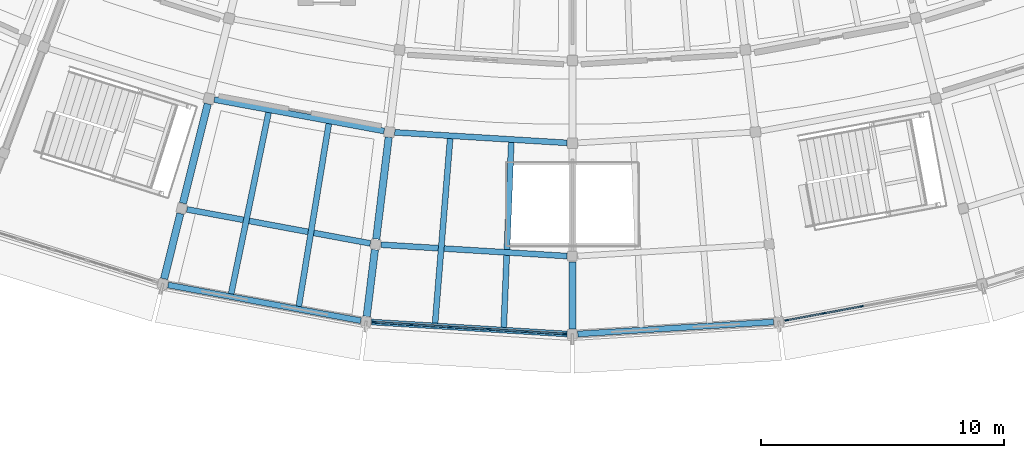
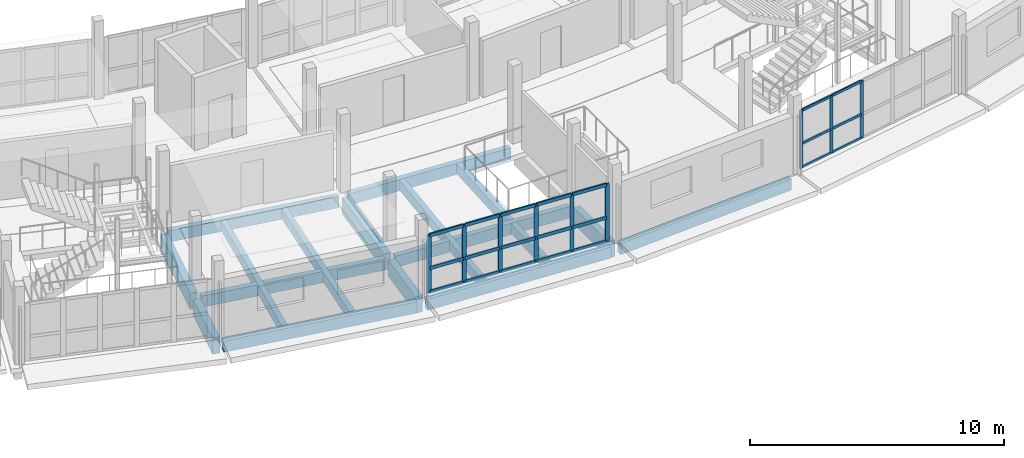
# One storey, part 23 of 77: 30 members, 16 beams, 2 elements without a shape of their own.
"""IFC4 building model written with IfcOpenShell, lengths in metres."""

import ifcopenshell
import ifcopenshell.guid

model = None  # the IFC model being written
_history = None  # IfcOwnerHistory: only IFC2X3 demands one
_inside = {}  # id of a spatial element -> (the spatial element, [elements in it])
_under = {}  # id of a project, library or spatial element -> (it, [spatial elements below it])
_declared = {}  # id of a project -> (the project, [libraries it declares])
_typed = {}  # id of a type object -> (the type object, [elements of that type])
_made_of = {}  # id of a material, layer set ... -> (it, [elements and type objects made of it])


def new_model(schema):
    """Start an empty IFC model of exactly this schema.

    Asked for "IFC4X3", IfcOpenShell would pick the latest addendum, in which some entities
    have other attributes; the version numbers below select the first issue.
    IFC2X3 requires an IfcOwnerHistory on every rooted entity: one is made here for all.
    """
    global model, _history
    if schema == "IFC4X3":
        model = ifcopenshell.file(schema_version=(4, 3, 0, 0))
    else:
        model = ifcopenshell.file(schema=schema)
    _inside.clear()
    _under.clear()
    _declared.clear()
    _typed.clear()
    _made_of.clear()
    _history = None
    if model.schema == "IFC2X3":
        org = make("IfcOrganization", Name="unknown")
        user = make(
            "IfcPersonAndOrganization",
            ThePerson=make("IfcPerson", FamilyName="unknown"),
            TheOrganization=org,
        )
        app = make(
            "IfcApplication",
            ApplicationDeveloper=org,
            Version="unknown",
            ApplicationFullName="unknown",
            ApplicationIdentifier="unknown",
        )
        _history = make(
            "IfcOwnerHistory",
            OwningUser=user,
            OwningApplication=app,
            ChangeAction="ADDED",
            CreationDate=0,
        )
    return model


def make(cls, **values):
    """One entity of the class cls with the attributes given. An attribute that is None is left unset."""
    return model.create_entity(
        cls, **{name: value for name, value in values.items() if value is not None}
    )


def rooted(cls, **values):
    """An entity with a GlobalId (a new one), such as an element, a storey or a relation."""
    return make(cls, GlobalId=ifcopenshell.guid.new(), OwnerHistory=_history, **values)


def si_unit(unit_type, name, prefix=None):
    """IfcSIUnit, for example si_unit("LENGTHUNIT", "METRE", prefix="MILLI")."""
    return make("IfcSIUnit", UnitType=unit_type, Prefix=prefix, Name=name)


def assignment(units):
    """IfcUnitAssignment: the units of a project."""
    return None if units is None else make("IfcUnitAssignment", Units=units)


def point(xyz):
    """IfcCartesianPoint."""
    return None if xyz is None else make("IfcCartesianPoint", Coordinates=xyz)


def direction(xyz):
    """IfcDirection."""
    return None if xyz is None else make("IfcDirection", DirectionRatios=xyz)


def frame(location, z_axis=None, x_axis=None):
    """IfcAxis2Placement3D, a coordinate frame: its origin and axes. An axis left out is left unset."""
    return make(
        "IfcAxis2Placement3D",
        Location=point(location),
        Axis=direction(z_axis),
        RefDirection=direction(x_axis),
    )


def frame_2d(location, x_axis=None):
    """IfcAxis2Placement2D, a coordinate frame in the plane: its origin and x axis."""
    return make(
        "IfcAxis2Placement2D", Location=point(location), RefDirection=direction(x_axis)
    )


def origin():
    """The frame at (0, 0, 0) with its axes left unset."""
    return frame((0.0, 0.0, 0.0))


def origin_2d():
    """The frame at (0, 0) in the plane with its x axis left unset."""
    return frame_2d((0.0, 0.0))


def place(relative_to, where):
    """IfcLocalPlacement: puts the frame where relative to a parent placement (None: the world)."""
    return make(
        "IfcLocalPlacement", PlacementRelTo=relative_to, RelativePlacement=where
    )


def context(
    kind, dimensions, precision=None, world=None, true_north=None, identifier=None
):
    """IfcGeometricRepresentationContext, for example the 3D "Model" context."""
    return make(
        "IfcGeometricRepresentationContext",
        ContextIdentifier=identifier,
        ContextType=kind,
        CoordinateSpaceDimension=dimensions,
        Precision=precision,
        WorldCoordinateSystem=world,
        TrueNorth=true_north,
    )


def subcontext(parent, identifier, kind, view, scale=None):
    """IfcGeometricRepresentationSubContext, for example "Body" below "Model"."""
    return make(
        "IfcGeometricRepresentationSubContext",
        ContextIdentifier=identifier,
        ContextType=kind,
        ParentContext=parent,
        TargetScale=scale,
        TargetView=view,
    )


def project(units=None, contexts=None):
    """IfcProject with its units and contexts."""
    return rooted(
        "IfcProject",
        Name="project",
        RepresentationContexts=contexts,
        UnitsInContext=assignment(units),
    )


def spatial(cls, under=None, at=None, **own):
    """A site, building, storey or space (cls), placed at a placement, below another one or the project."""
    s = rooted(cls, ObjectPlacement=at, **own)
    if under is not None:
        _under.setdefault(under.id(), (under, []))[1].append(s)
    return s


def profile(cls, at=None, kind="AREA", **sizes):
    """A parametric profile (cls). Its sizes go by their IFC names, for example OverallWidth=200.0."""
    return make(cls, ProfileType=kind, Position=at, **sizes)


def rectangle(**sizes):
    """IfcRectangleProfileDef."""
    return profile("IfcRectangleProfileDef", **sizes)


def extrude(swept, where, along, depth):
    """IfcExtrudedAreaSolid: the profile swept, set in the frame where, extruded along a direction by depth."""
    return make(
        "IfcExtrudedAreaSolid",
        SweptArea=swept,
        Position=where,
        ExtrudedDirection=direction(along),
        Depth=depth,
    )


def shape(context_of_items, identifier, shape_type, items):
    """IfcShapeRepresentation: the items that make up one representation, for example the "Body"."""
    return make(
        "IfcShapeRepresentation",
        ContextOfItems=context_of_items,
        RepresentationIdentifier=identifier,
        RepresentationType=shape_type,
        Items=items,
    )


def material(Name=None, Category=None):
    """IfcMaterial."""
    return make("IfcMaterial", Name=Name, Category=Category)


def layer(
    of_material, thickness, ventilated=None, Name=None, Category=None, Priority=None
):
    """IfcMaterialLayer: one layer of a wall or slab, of a material (None: an air gap)."""
    return make(
        "IfcMaterialLayer",
        Material=of_material,
        LayerThickness=thickness,
        IsVentilated=ventilated,
        Name=Name,
        Category=Category,
        Priority=Priority,
    )


def layer_set(layers, Name=None):
    """IfcMaterialLayerSet."""
    return make("IfcMaterialLayerSet", MaterialLayers=layers, LayerSetName=Name)


def material_profile(
    of_material, cross_section, Name=None, Category=None, Priority=None
):
    """IfcMaterialProfile: a cross section and its material."""
    return make(
        "IfcMaterialProfile",
        Name=Name,
        Material=of_material,
        Profile=cross_section,
        Priority=Priority,
        Category=Category,
    )


def profile_set(profiles, Name=None, composite=None):
    """IfcMaterialProfileSet."""
    return make(
        "IfcMaterialProfileSet",
        Name=Name,
        MaterialProfiles=profiles,
        CompositeProfile=composite,
    )


def made_of(thing, what):
    """Note that an element or type object is made of a material, layer set ...; save() writes the relation."""
    if what is not None:
        _made_of.setdefault(what.id(), (what, []))[1].append(thing)
    return thing


def type_object(cls, material=None, **own):
    """A type object (cls), such as IfcWallType, which elements share."""
    return made_of(rooted(cls, **own), material)


def element(
    cls,
    number,
    at=None,
    inside=None,
    cuts=None,
    type_object=None,
    material=None,
    context=None,
    identifier="Body",
    shape_type=None,
    held_by="IfcProductDefinitionShape",
    body=None,
    shapes=None,
    **own,
):
    """One element of the class cls, such as IfcWall. Its Tag is "e" and its number.

    at: its placement. inside: the storey or other place that contains it. cuts: it is an
    opening in that element (IfcRelVoidsElement). A single representation is given by context,
    identifier, shape_type and body (its items); several are given by shapes. held_by: the class
    of the entity that holds the representations. save() writes the other relations.
    """
    e = rooted(cls, Tag="e%d" % number, ObjectPlacement=at, **own)
    if body is not None:
        shapes = [shape(context, identifier, shape_type, body)]
    if shapes is not None:
        e.Representation = make(held_by, Representations=shapes)
    if inside is not None:
        _inside.setdefault(inside.id(), (inside, []))[1].append(e)
    if cuts is not None:
        rooted(
            "IfcRelVoidsElement", RelatingBuildingElement=cuts, RelatedOpeningElement=e
        )
    if type_object is not None:
        _typed.setdefault(type_object.id(), (type_object, []))[1].append(e)
    return made_of(e, material)


def aggregate(whole, parts):
    """IfcRelAggregates: a whole, such as a stair, and the parts it consists of."""
    return rooted("IfcRelAggregates", RelatingObject=whole, RelatedObjects=parts)


def save(model, path):
    """Write the relations noted so far, then the file.

    IfcRelAggregates (storeys below a building ...), IfcRelContainedInSpatialStructure (elements
    in a storey), IfcRelDefinesByType, IfcRelAssociatesMaterial and IfcRelDeclares: one each for
    every whole, place, type object, material and project.
    """
    for whole, parts in _under.values():
        aggregate(whole, parts)
    for where, things in _inside.values():
        rooted(
            "IfcRelContainedInSpatialStructure",
            RelatedElements=things,
            RelatingStructure=where,
        )
    for kind, things in _typed.values():
        rooted("IfcRelDefinesByType", RelatedObjects=things, RelatingType=kind)
    for what, things in _made_of.values():
        rooted("IfcRelAssociatesMaterial", RelatedObjects=things, RelatingMaterial=what)
    for by, libraries in _declared.values():
        rooted("IfcRelDeclares", RelatingContext=by, RelatedDefinitions=libraries)
    model.write(path)


model = new_model("IFC4")

# Units and contexts
model_context = context("Model", 3, precision=1e-05, world=origin(), true_north=direction((0.0, 1.0)))
body_context = subcontext(model_context, "Body", "Model", "MODEL_VIEW")
ifc_project = project(units=[si_unit("LENGTHUNIT", "METRE"), si_unit("AREAUNIT", "SQUARE_METRE"), si_unit("VOLUMEUNIT", "CUBIC_METRE"), si_unit("PLANEANGLEUNIT", "RADIAN"), si_unit("MASSUNIT", "GRAM", prefix="KILO")], contexts=[model_context])

# Site, building, storey
site_placement = place(None, origin())
site = spatial("IfcSite", under=ifc_project, at=site_placement, CompositionType="ELEMENT")
building_placement = place(site_placement, origin())
building = spatial("IfcBuilding", under=site, at=building_placement, Name="Caldaven Crescent School", CompositionType="ELEMENT")
storey_placement = place(building_placement, frame((0.0, 0.0, 4.419921875)))
storey = spatial("IfcBuildingStorey", under=building, at=storey_placement, Name="L01", CompositionType="ELEMENT", Elevation=4.419921875)

# Beams
ifc_material_1 = material(Name="Glulam MLE24h (GL28h)", Category="wood")
ifc_material_profile_1 = material_profile(ifc_material_1, rectangle(XDim=0.239990234375, YDim=0.5400390625, at=origin_2d()), Name="MLE 240x540")
ifc_profile_set_1 = profile_set([ifc_material_profile_1], Name="Glulam MLE24h (GL28h)")
beam_type_1 = type_object("IfcBeamType", Name="BM-GL54", PredefinedType="BEAM", material=ifc_profile_set_1)
beam_1_placement = place(storey_placement, frame((73.289794921875, 36.0927734375, -0.489990234375), z_axis=(0.983253463405, -0.182243317304, 0.0), x_axis=(0.182243317304, 0.983253463405, 0.0)))
element("IfcBeam", 1, at=beam_1_placement, inside=storey, type_object=beam_type_1, Name="BMT-V5-L01-1032", PredefinedType="BEAM", context=body_context, shape_type="SweptSolid", body=[
    extrude(rectangle(XDim=0.239990234375, YDim=0.5400390625, at=origin_2d()), origin(), (0.0, 0.0, 1.0), 7.093505859375),
])
beam_2_placement = place(storey_placement, frame((72.164794921875, 31.580810546875, -0.489990234375), z_axis=(0.983252830368, -0.182246732681, 0.0), x_axis=(0.182246732681, 0.983252830368, 0.0)))
element("IfcBeam", 2, at=beam_2_placement, inside=storey, type_object=beam_type_1, Name="BMT-V5-L01-1033", PredefinedType="BEAM", context=body_context, shape_type="SweptSolid", body=[
    extrude(rectangle(XDim=0.239990234375, YDim=0.5400390625, at=origin_2d()), origin(), (0.0, 0.0, 1.0), 7.661376953125),
])
beam_3_placement = place(storey_placement, frame((80.7001953125, 34.74658203125, -0.489990234375), z_axis=(0.998134331025, -0.061056180933, 0.0), x_axis=(0.061056180933, 0.998134331025, 0.0)))
element("IfcBeam", 3, at=beam_3_placement, inside=storey, type_object=beam_type_1, Name="BMT-V5-L01-1039", PredefinedType="BEAM", context=body_context, shape_type="SweptSolid", body=[
    extrude(rectangle(XDim=0.239990234375, YDim=0.5400390625, at=origin_2d()), origin(), (0.0, 0.0, 1.0), 7.093505859375),
])
beam_4_placement = place(storey_placement, frame((80.133544921875, 30.131103515625, -0.489990234375), z_axis=(0.998134284953, -0.061056934103, 0.0), x_axis=(0.061056934103, 0.998134284953, 0.0)))
element("IfcBeam", 4, at=beam_4_placement, inside=storey, type_object=beam_type_1, Name="BMT-V5-L01-1040", PredefinedType="BEAM", context=body_context, shape_type="SweptSolid", body=[
    extrude(rectangle(XDim=0.239990234375, YDim=0.5400390625, at=origin_2d()), origin(), (0.0, 0.0, 1.0), 7.661376953125),
])
ifc_material_profile_2 = material_profile(ifc_material_1, rectangle(XDim=0.300048828125, YDim=0.780029296875, at=origin_2d()), Name="MLE 300x780")
ifc_profile_set_2 = profile_set([ifc_material_profile_2], Name="Glulam MLE24h (GL28h)")
beam_type_2 = type_object("IfcBeamType", Name="BM-GL78", PredefinedType="BEAM", material=ifc_profile_set_2)
beam_5_placement = place(storey_placement, frame((73.020263671875, 35.919189453125, -0.60986328125), z_axis=(-0.24193520923, -0.970292406718, 0.0), x_axis=(0.970292406718, -0.24193520923, 0.0)))
element("IfcBeam", 5, at=beam_5_placement, inside=storey, type_object=beam_type_2, Name="BMR-V5-L01-1002", PredefinedType="BEAM", context=body_context, shape_type="SweptSolid", body=[
    extrude(rectangle(XDim=0.300048828125, YDim=0.780029296875, at=origin_2d()), origin(), (0.0, 0.0, 1.0), 4.2099609375),
])
beam_6_placement = place(storey_placement, frame((71.895263671875, 31.407470703125, -0.60986328125), z_axis=(-0.241931983941, -0.970293210914, 0.0), x_axis=(0.970293210914, -0.241931983941, 0.0)))
element("IfcBeam", 6, at=beam_6_placement, inside=storey, type_object=beam_type_2, Name="BMR-V5-L01-1003", PredefinedType="BEAM", context=body_context, shape_type="SweptSolid", body=[
    extrude(rectangle(XDim=0.300048828125, YDim=0.780029296875, at=origin_2d()), origin(), (0.0, 0.0, 1.0), 2.760009765625),
])
beam_7_placement = place(storey_placement, frame((80.453857421875, 34.54150390625, -0.60986328125), z_axis=(-0.121900322191, -0.992542347434, 0.0), x_axis=(0.992542347434, -0.121900322191, 0.0)))
element("IfcBeam", 7, at=beam_7_placement, inside=storey, type_object=beam_type_2, Name="BMR-V5-L01-1006", PredefinedType="BEAM", context=body_context, shape_type="SweptSolid", body=[
    extrude(rectangle(XDim=0.300048828125, YDim=0.780029296875, at=origin_2d()), origin(), (0.0, 0.0, 1.0), 4.2099609375),
])
for number, where, z_axis, x_axis, name in (
    (8, (79.88720703125, 29.92626953125, -0.60986328125), (-0.121889772755, -0.992543643019, 0.0), (0.992543643019, -0.121889772755, 0.0), "BMR-V5-L01-1007"),
    (9, (88.0, 29.429931640625, -0.60986328125), (0.0, -1.0, 0.0), (1.0, 0.0, 0.0), "BMR-V5-L01-1011"),
):
    element("IfcBeam", number, at=place(storey_placement, frame(where, z_axis=z_axis, x_axis=x_axis)), inside=storey, type_object=beam_type_2, Name=name, PredefinedType="BEAM", context=body_context, shape_type="SweptSolid", body=[
        extrude(rectangle(XDim=0.300048828125, YDim=0.780029296875, at=origin_2d()), origin(), (0.0, 0.0, 1.0), 2.760009765625),
    ])

# Curtain wall, members
ifc_material_2 = material(Name="Anodised aluminium AA 6063-T6 and low-E double glazing", Category="aluminium")
ifc_layer_1 = layer(ifc_material_2, 0.169921875)
ifc_layer_set_1 = layer_set([ifc_layer_1], Name="Anodised aluminium AA 6063-T6 and low-E double glazing")
curtain_wall_type_1 = type_object("IfcCurtainWallType", Name="CW-SYS1", PredefinedType="NOTDEFINED", material=ifc_layer_set_1)
curtain_wall_1_placement = place(storey_placement, origin())
curtain_wall_1 = element("IfcCurtainWall", 10, at=curtain_wall_1_placement, inside=storey, type_object=curtain_wall_type_1, Name="CW-L01-128", PredefinedType="NOTDEFINED")
ifc_material_3 = material(Name="Anodised aluminium AA 6063-T6", Category="aluminium")
ifc_material_profile_3 = material_profile(ifc_material_3, rectangle(XDim=0.06005859375, YDim=0.14990234375, at=origin_2d()), Name="CWM 60x150")
ifc_profile_set_3 = profile_set([ifc_material_profile_3], Name="Anodised aluminium AA 6063-T6")
member_type_1 = type_object("IfcMemberType", Name="CWM-T1", PredefinedType="MULLION", material=ifc_profile_set_3)
member_1_placement = place(storey_placement, frame((96.800537109375, 27.028564453125, 0.0), z_axis=(0.0, 0.0, 1.0), x_axis=(-0.182234865564, 0.983255029874, 0.0)))
member_1 = element("IfcMember", 11, at=member_1_placement, type_object=member_type_1, Name="CW1 mullion 1", PredefinedType="MULLION", context=body_context, shape_type="SweptSolid", body=[
    extrude(rectangle(XDim=0.06005859375, YDim=0.14990234375, at=origin_2d()), origin(), (0.0, 0.0, 1.0), 2.780029296875),
])
member_2_placement = place(storey_placement, frame((98.322998046875, 27.310791015625, 0.0), z_axis=(0.0, 0.0, 1.0), x_axis=(-0.182234865564, 0.983255029874, 0.0)))
member_2 = element("IfcMember", 12, at=member_2_placement, type_object=member_type_1, Name="CW1 mullion 2", PredefinedType="MULLION", context=body_context, shape_type="SweptSolid", body=[
    extrude(rectangle(XDim=0.06005859375, YDim=0.14990234375, at=origin_2d()), origin(), (0.0, 0.0, 1.0), 2.780029296875),
])
member_3_placement = place(storey_placement, frame((99.874755859375, 27.598388671875, 0.0), z_axis=(0.0, 0.0, 1.0), x_axis=(-0.182234865564, 0.983255029874, 0.0)))
member_3 = element("IfcMember", 13, at=member_3_placement, type_object=member_type_1, Name="CW1 mullion 3", PredefinedType="MULLION", context=body_context, shape_type="SweptSolid", body=[
    extrude(rectangle(XDim=0.06005859375, YDim=0.14990234375, at=origin_2d()), origin(), (0.0, 0.0, 1.0), 2.780029296875),
])

ifc_layer_2 = layer(ifc_material_2, 0.2099609375)
ifc_layer_set_2 = layer_set([ifc_layer_2], Name="Anodised aluminium AA 6063-T6 and low-E double glazing")
curtain_wall_type_2 = type_object("IfcCurtainWallType", Name="CW-SYS3", PredefinedType="NOTDEFINED", material=ifc_layer_set_2)
curtain_wall_2_placement = place(storey_placement, origin())
curtain_wall_2 = element("IfcCurtainWall", 14, at=curtain_wall_2_placement, inside=storey, type_object=curtain_wall_type_2, Name="CW-L01-125", PredefinedType="NOTDEFINED")
ifc_material_profile_4 = material_profile(ifc_material_3, rectangle(XDim=0.06494140625, YDim=0.179931640625, at=origin_2d()), Name="CWM 65x180")
ifc_profile_set_4 = profile_set([ifc_material_profile_4], Name="Anodised aluminium AA 6063-T6")
member_type_2 = type_object("IfcMemberType", Name="CWM-T2", PredefinedType="MULLION", material=ifc_profile_set_4)
member_4_placement = place(storey_placement, frame((79.85595703125, 26.947998046875, 0.0), z_axis=(0.0, 0.0, 1.0), x_axis=(0.061049055851, 0.998134766843, 0.0)))
member_4 = element("IfcMember", 15, at=member_4_placement, type_object=member_type_2, Name="CW3 mullion 1", PredefinedType="MULLION", context=body_context, shape_type="SweptSolid", body=[
    extrude(rectangle(XDim=0.06494140625, YDim=0.179931640625, at=origin_2d()), origin(), (0.0, 0.0, 1.0), 2.780029296875),
])
member_5_placement = place(storey_placement, frame((81.39892578125, 26.853759765625, 0.0), z_axis=(0.0, 0.0, 1.0), x_axis=(0.061049055851, 0.998134766843, 0.0)))
member_5 = element("IfcMember", 16, at=member_5_placement, type_object=member_type_2, Name="CW3 mullion 2", PredefinedType="MULLION", context=body_context, shape_type="SweptSolid", body=[
    extrude(rectangle(XDim=0.06494140625, YDim=0.179931640625, at=origin_2d()), origin(), (0.0, 0.0, 1.0), 2.780029296875),
])
member_6_placement = place(storey_placement, frame((82.974365234375, 26.75732421875, 0.0), z_axis=(0.0, 0.0, 1.0), x_axis=(0.061049055851, 0.998134766843, 0.0)))
member_6 = element("IfcMember", 17, at=member_6_placement, type_object=member_type_2, Name="CW3 mullion 3", PredefinedType="MULLION", context=body_context, shape_type="SweptSolid", body=[
    extrude(rectangle(XDim=0.06494140625, YDim=0.179931640625, at=origin_2d()), origin(), (0.0, 0.0, 1.0), 2.780029296875),
])
member_7_placement = place(storey_placement, frame((84.5498046875, 26.6611328125, 0.0), z_axis=(0.0, 0.0, 1.0), x_axis=(0.061049055851, 0.998134766843, 0.0)))
member_7 = element("IfcMember", 18, at=member_7_placement, type_object=member_type_2, Name="CW3 mullion 4", PredefinedType="MULLION", context=body_context, shape_type="SweptSolid", body=[
    extrude(rectangle(XDim=0.06494140625, YDim=0.179931640625, at=origin_2d()), origin(), (0.0, 0.0, 1.0), 2.780029296875),
])
member_8_placement = place(storey_placement, frame((86.125244140625, 26.564697265625, 0.0), z_axis=(0.0, 0.0, 1.0), x_axis=(0.061049055851, 0.998134766843, 0.0)))
member_8 = element("IfcMember", 19, at=member_8_placement, type_object=member_type_2, Name="CW3 mullion 5", PredefinedType="MULLION", context=body_context, shape_type="SweptSolid", body=[
    extrude(rectangle(XDim=0.06494140625, YDim=0.179931640625, at=origin_2d()), origin(), (0.0, 0.0, 1.0), 2.780029296875),
])
member_9_placement = place(storey_placement, frame((87.668212890625, 26.47021484375, 0.0), z_axis=(0.0, 0.0, 1.0), x_axis=(0.061049055851, 0.998134766843, 0.0)))
member_9 = element("IfcMember", 20, at=member_9_placement, type_object=member_type_2, Name="CW3 mullion 6", PredefinedType="MULLION", context=body_context, shape_type="SweptSolid", body=[
    extrude(rectangle(XDim=0.06494140625, YDim=0.179931640625, at=origin_2d()), origin(), (0.0, 0.0, 1.0), 2.780029296875),
])

# Member
ifc_material_profile_5 = material_profile(ifc_material_3, rectangle(XDim=0.06005859375, YDim=0.1201171875, at=origin_2d()), Name="CWT 60x120")
ifc_profile_set_5 = profile_set([ifc_material_profile_5], Name="Anodised aluminium AA 6063-T6")
member_type_3 = type_object("IfcMemberType", Name="CWT-T1", PredefinedType="USERDEFINED", material=ifc_profile_set_5)
member_10_placement = place(storey_placement, frame((96.830078125, 27.033935546875, 0.030029296875), z_axis=(0.98325262173, 0.182247858315, 0.0), x_axis=(-0.182247858315, 0.98325262173, 0.0)))
member_10 = element("IfcMember", 21, at=member_10_placement, type_object=member_type_3, Name="CW1 transom 1.1", ObjectType="TRANSOM", PredefinedType="USERDEFINED", context=body_context, shape_type="SweptSolid", body=[
    extrude(rectangle(XDim=0.06005859375, YDim=0.1201171875, at=origin_2d()), origin(), (0.0, 0.0, 1.0), 1.48828125),
])

member_11_placement = place(storey_placement, frame((96.830078125, 27.033935546875, 1.16796875), z_axis=(0.98325262173, 0.182247858315, 0.0), x_axis=(-0.182247858315, 0.98325262173, 0.0)))
member_11 = element("IfcMember", 22, at=member_11_placement, type_object=member_type_3, Name="CW1 transom 1.2", ObjectType="TRANSOM", PredefinedType="USERDEFINED", context=body_context, shape_type="SweptSolid", body=[
    extrude(rectangle(XDim=0.06005859375, YDim=0.1201171875, at=origin_2d()), origin(), (0.0, 0.0, 1.0), 1.48828125),
])

member_12_placement = place(storey_placement, frame((96.830078125, 27.033935546875, 2.75), z_axis=(0.98325262173, 0.182247858315, 0.0), x_axis=(-0.182247858315, 0.98325262173, 0.0)))
member_12 = element("IfcMember", 23, at=member_12_placement, type_object=member_type_3, Name="CW1 transom 1.3", ObjectType="TRANSOM", PredefinedType="USERDEFINED", context=body_context, shape_type="SweptSolid", body=[
    extrude(rectangle(XDim=0.06005859375, YDim=0.1201171875, at=origin_2d()), origin(), (0.0, 0.0, 1.0), 1.48828125),
])

member_13_placement = place(storey_placement, frame((98.3525390625, 27.316162109375, 0.030029296875), z_axis=(0.98326494013, 0.182181386291, 0.0), x_axis=(-0.182181386291, 0.98326494013, 0.0)))
member_13 = element("IfcMember", 24, at=member_13_placement, type_object=member_type_3, Name="CW1 transom 2.1", ObjectType="TRANSOM", PredefinedType="USERDEFINED", context=body_context, shape_type="SweptSolid", body=[
    extrude(rectangle(XDim=0.06005859375, YDim=0.1201171875, at=origin_2d()), origin(), (0.0, 0.0, 1.0), 1.518310546875),
])

member_14_placement = place(storey_placement, frame((98.3525390625, 27.316162109375, 1.16796875), z_axis=(0.98326494013, 0.182181386291, 0.0), x_axis=(-0.182181386291, 0.98326494013, 0.0)))
member_14 = element("IfcMember", 25, at=member_14_placement, type_object=member_type_3, Name="CW1 transom 2.2", ObjectType="TRANSOM", PredefinedType="USERDEFINED", context=body_context, shape_type="SweptSolid", body=[
    extrude(rectangle(XDim=0.06005859375, YDim=0.1201171875, at=origin_2d()), origin(), (0.0, 0.0, 1.0), 1.518310546875),
])

member_15_placement = place(storey_placement, frame((98.3525390625, 27.316162109375, 2.75), z_axis=(0.98326494013, 0.182181386291, 0.0), x_axis=(-0.182181386291, 0.98326494013, 0.0)))
member_15 = element("IfcMember", 26, at=member_15_placement, type_object=member_type_3, Name="CW1 transom 2.3", ObjectType="TRANSOM", PredefinedType="USERDEFINED", context=body_context, shape_type="SweptSolid", body=[
    extrude(rectangle(XDim=0.06005859375, YDim=0.1201171875, at=origin_2d()), origin(), (0.0, 0.0, 1.0), 1.518310546875),
])

aggregate(curtain_wall_1, [member_1, member_2, member_3, member_10, member_11, member_12, member_13, member_14, member_15])

ifc_material_profile_6 = material_profile(ifc_material_3, rectangle(XDim=0.070068359375, YDim=0.159912109375, at=origin_2d()), Name="CWT 70x160")
ifc_profile_set_6 = profile_set([ifc_material_profile_6], Name="Anodised aluminium AA 6063-T6")
member_type_4 = type_object("IfcMemberType", Name="CWT-T3", PredefinedType="USERDEFINED", material=ifc_profile_set_6)
member_16_placement = place(storey_placement, frame((79.888427734375, 26.946044921875, 0.03515625), z_axis=(0.998137595333, -0.06100279324, 0.0), x_axis=(0.06100279324, 0.998137595333, 0.0)))
member_16 = element("IfcMember", 27, at=member_16_placement, type_object=member_type_4, Name="CW3 transom 1.1", ObjectType="TRANSOM", PredefinedType="USERDEFINED", context=body_context, shape_type="SweptSolid", body=[
    extrude(rectangle(XDim=0.070068359375, YDim=0.159912109375, at=origin_2d()), origin(), (0.0, 0.0, 1.0), 1.480712890625),
])

member_17_placement = place(storey_placement, frame((79.888427734375, 26.946044921875, 1.16796875), z_axis=(0.998137595333, -0.06100279324, 0.0), x_axis=(0.06100279324, 0.998137595333, 0.0)))
member_17 = element("IfcMember", 28, at=member_17_placement, type_object=member_type_4, Name="CW3 transom 1.2", ObjectType="TRANSOM", PredefinedType="USERDEFINED", context=body_context, shape_type="SweptSolid", body=[
    extrude(rectangle(XDim=0.070068359375, YDim=0.159912109375, at=origin_2d()), origin(), (0.0, 0.0, 1.0), 1.480712890625),
])

member_18_placement = place(storey_placement, frame((79.888427734375, 26.946044921875, 2.7451171875), z_axis=(0.998137595333, -0.06100279324, 0.0), x_axis=(0.06100279324, 0.998137595333, 0.0)))
member_18 = element("IfcMember", 29, at=member_18_placement, type_object=member_type_4, Name="CW3 transom 1.3", ObjectType="TRANSOM", PredefinedType="USERDEFINED", context=body_context, shape_type="SweptSolid", body=[
    extrude(rectangle(XDim=0.070068359375, YDim=0.159912109375, at=origin_2d()), origin(), (0.0, 0.0, 1.0), 1.480712890625),
])

member_19_placement = place(storey_placement, frame((81.431396484375, 26.851806640625, 0.03515625), z_axis=(0.998129024809, -0.061142864135, 0.0), x_axis=(0.061142864135, 0.998129024809, 0.0)))
member_19 = element("IfcMember", 30, at=member_19_placement, type_object=member_type_4, Name="CW3 transom 2.1", ObjectType="TRANSOM", PredefinedType="USERDEFINED", context=body_context, shape_type="SweptSolid", body=[
    extrude(rectangle(XDim=0.070068359375, YDim=0.159912109375, at=origin_2d()), origin(), (0.0, 0.0, 1.0), 1.513427734375),
])

member_20_placement = place(storey_placement, frame((81.431396484375, 26.851806640625, 1.16796875), z_axis=(0.998129024809, -0.061142864135, 0.0), x_axis=(0.061142864135, 0.998129024809, 0.0)))
member_20 = element("IfcMember", 31, at=member_20_placement, type_object=member_type_4, Name="CW3 transom 2.2", ObjectType="TRANSOM", PredefinedType="USERDEFINED", context=body_context, shape_type="SweptSolid", body=[
    extrude(rectangle(XDim=0.070068359375, YDim=0.159912109375, at=origin_2d()), origin(), (0.0, 0.0, 1.0), 1.513427734375),
])

member_21_placement = place(storey_placement, frame((81.431396484375, 26.851806640625, 2.7451171875), z_axis=(0.998129024809, -0.061142864135, 0.0), x_axis=(0.061142864135, 0.998129024809, 0.0)))
member_21 = element("IfcMember", 32, at=member_21_placement, type_object=member_type_4, Name="CW3 transom 2.3", ObjectType="TRANSOM", PredefinedType="USERDEFINED", context=body_context, shape_type="SweptSolid", body=[
    extrude(rectangle(XDim=0.070068359375, YDim=0.159912109375, at=origin_2d()), origin(), (0.0, 0.0, 1.0), 1.513427734375),
])

member_22_placement = place(storey_placement, frame((83.0068359375, 26.75537109375, 0.03515625), z_axis=(0.998138857494, -0.060982138053, 0.0), x_axis=(0.060982138053, 0.998138857494, 0.0)))
member_22 = element("IfcMember", 33, at=member_22_placement, type_object=member_type_4, Name="CW3 transom 3.1", ObjectType="TRANSOM", PredefinedType="USERDEFINED", context=body_context, shape_type="SweptSolid", body=[
    extrude(rectangle(XDim=0.070068359375, YDim=0.159912109375, at=origin_2d()), origin(), (0.0, 0.0, 1.0), 1.513427734375),
])

member_23_placement = place(storey_placement, frame((83.0068359375, 26.75537109375, 1.16796875), z_axis=(0.998138857494, -0.060982138053, 0.0), x_axis=(0.060982138053, 0.998138857494, 0.0)))
member_23 = element("IfcMember", 34, at=member_23_placement, type_object=member_type_4, Name="CW3 transom 3.2", ObjectType="TRANSOM", PredefinedType="USERDEFINED", context=body_context, shape_type="SweptSolid", body=[
    extrude(rectangle(XDim=0.070068359375, YDim=0.159912109375, at=origin_2d()), origin(), (0.0, 0.0, 1.0), 1.513427734375),
])

member_24_placement = place(storey_placement, frame((83.0068359375, 26.75537109375, 2.7451171875), z_axis=(0.998138857494, -0.060982138053, 0.0), x_axis=(0.060982138053, 0.998138857494, 0.0)))
member_24 = element("IfcMember", 35, at=member_24_placement, type_object=member_type_4, Name="CW3 transom 3.3", ObjectType="TRANSOM", PredefinedType="USERDEFINED", context=body_context, shape_type="SweptSolid", body=[
    extrude(rectangle(XDim=0.070068359375, YDim=0.159912109375, at=origin_2d()), origin(), (0.0, 0.0, 1.0), 1.513427734375),
])

member_25_placement = place(storey_placement, frame((84.58203125, 26.658935546875, 0.03515625), z_axis=(0.9981394573, -0.06097231979, 0.0), x_axis=(0.06097231979, 0.9981394573, 0.0)))
member_25 = element("IfcMember", 36, at=member_25_placement, type_object=member_type_4, Name="CW3 transom 4.1", ObjectType="TRANSOM", PredefinedType="USERDEFINED", context=body_context, shape_type="SweptSolid", body=[
    extrude(rectangle(XDim=0.070068359375, YDim=0.159912109375, at=origin_2d()), origin(), (0.0, 0.0, 1.0), 1.513671875),
])

member_26_placement = place(storey_placement, frame((84.58203125, 26.658935546875, 1.16796875), z_axis=(0.9981394573, -0.06097231979, 0.0), x_axis=(0.06097231979, 0.9981394573, 0.0)))
member_26 = element("IfcMember", 37, at=member_26_placement, type_object=member_type_4, Name="CW3 transom 4.2", ObjectType="TRANSOM", PredefinedType="USERDEFINED", context=body_context, shape_type="SweptSolid", body=[
    extrude(rectangle(XDim=0.070068359375, YDim=0.159912109375, at=origin_2d()), origin(), (0.0, 0.0, 1.0), 1.513671875),
])

member_27_placement = place(storey_placement, frame((84.58203125, 26.658935546875, 2.7451171875), z_axis=(0.9981394573, -0.06097231979, 0.0), x_axis=(0.06097231979, 0.9981394573, 0.0)))
member_27 = element("IfcMember", 38, at=member_27_placement, type_object=member_type_4, Name="CW3 transom 4.3", ObjectType="TRANSOM", PredefinedType="USERDEFINED", context=body_context, shape_type="SweptSolid", body=[
    extrude(rectangle(XDim=0.070068359375, YDim=0.159912109375, at=origin_2d()), origin(), (0.0, 0.0, 1.0), 1.513671875),
])

member_28_placement = place(storey_placement, frame((86.157470703125, 26.562744140625, 0.03515625), z_axis=(0.998128159669, -0.061156985506, 0.0), x_axis=(0.061156985506, 0.998128159669, 0.0)))
member_28 = element("IfcMember", 39, at=member_28_placement, type_object=member_type_4, Name="CW3 transom 5.1", ObjectType="TRANSOM", PredefinedType="USERDEFINED", context=body_context, shape_type="SweptSolid", body=[
    extrude(rectangle(XDim=0.070068359375, YDim=0.159912109375, at=origin_2d()), origin(), (0.0, 0.0, 1.0), 1.48095703125),
])

member_29_placement = place(storey_placement, frame((86.157470703125, 26.562744140625, 1.16796875), z_axis=(0.998128159669, -0.061156985506, 0.0), x_axis=(0.061156985506, 0.998128159669, 0.0)))
member_29 = element("IfcMember", 40, at=member_29_placement, type_object=member_type_4, Name="CW3 transom 5.2", ObjectType="TRANSOM", PredefinedType="USERDEFINED", context=body_context, shape_type="SweptSolid", body=[
    extrude(rectangle(XDim=0.070068359375, YDim=0.159912109375, at=origin_2d()), origin(), (0.0, 0.0, 1.0), 1.48095703125),
])

member_30_placement = place(storey_placement, frame((86.157470703125, 26.562744140625, 2.7451171875), z_axis=(0.998128159669, -0.061156985506, 0.0), x_axis=(0.061156985506, 0.998128159669, 0.0)))
member_30 = element("IfcMember", 41, at=member_30_placement, type_object=member_type_4, Name="CW3 transom 5.3", ObjectType="TRANSOM", PredefinedType="USERDEFINED", context=body_context, shape_type="SweptSolid", body=[
    extrude(rectangle(XDim=0.070068359375, YDim=0.159912109375, at=origin_2d()), origin(), (0.0, 0.0, 1.0), 1.48095703125),
])

aggregate(curtain_wall_2, [member_4, member_5, member_6, member_7, member_8, member_9, member_16, member_17, member_18, member_19, member_20, member_21, member_22, member_23, member_24, member_25, member_26, member_27, member_28, member_29, member_30])

# Beams
ifc_material_profile_7 = material_profile(ifc_material_1, rectangle(XDim=0.239990234375, YDim=0.47998046875, at=origin_2d()), Name="MLE 240x480")
ifc_profile_set_7 = profile_set([ifc_material_profile_7], Name="Glulam MLE24h (GL28h)")
beam_type_3 = type_object("IfcBeamType", Name="JS-GL48", PredefinedType="JOIST", material=ifc_profile_set_7)
for number, where, z_axis, x_axis, name in (
    (42, (75.519287109375, 35.5625, -0.4599609375), (-0.202259614747, -0.979331939764, 0.0), (0.979331939764, -0.202259614747, 0.0), "JSR-V5-L01-1035"),
    (43, (77.992919921875, 35.10400390625, -0.4599609375), (-0.162139819629, -0.986767793805, 0.0), (0.986767793805, -0.162139819629, 0.0), "JSR-V5-L01-1036"),
    (44, (82.977783203125, 34.491943359375, -0.4599609375), (-0.081390637837, -0.996682278398, 0.0), (0.996682278398, -0.081390637837, 0.0), "JSR-V5-L01-1043"),
    (45, (85.48876953125, 34.33837890625, -0.4599609375), (-0.040664012435, -0.99917287698, 0.0), (0.99917287698, -0.040664012435, 0.0), "JSR-V5-L01-1045"),
):
    element("IfcBeam", number, at=place(storey_placement, frame(where, z_axis=z_axis, x_axis=x_axis)), inside=storey, type_object=beam_type_3, Name=name, PredefinedType="JOIST", context=body_context, shape_type="SweptSolid", body=[
        extrude(rectangle(XDim=0.239990234375, YDim=0.47998046875, at=origin_2d()), origin(), (0.0, 0.0, 1.0), 7.60693359375),
    ])
ifc_material_profile_8 = material_profile(ifc_material_1, rectangle(XDim=0.239990234375, YDim=0.5400390625, at=origin_2d()), Name="MLE 240x540")
ifc_profile_set_8 = profile_set([ifc_material_profile_8], Name="Glulam MLE24h (GL28h)")
beam_type_4 = type_object("IfcBeamType", Name="SP-GL54", PredefinedType="SPANDREL", material=ifc_profile_set_8)
beam_8_placement = place(storey_placement, frame((71.390625, 28.475830078125, -0.489990234375), z_axis=(0.983255855888, -0.182230408717, 0.0), x_axis=(0.182230408717, 0.983255855888, 0.0)))
element("IfcBeam", 46, at=beam_8_placement, inside=storey, type_object=beam_type_4, Name="BMT-V5-L01-1034", PredefinedType="SPANDREL", context=body_context, shape_type="SweptSolid", body=[
    extrude(rectangle(XDim=0.239990234375, YDim=0.5400390625, at=origin_2d()), origin(), (0.0, 0.0, 1.0), 8.0517578125),
])
for number, where, z_axis, x_axis, name in (
    (47, (79.74365234375, 26.955078125, -0.489990234375), (0.99813371242, -0.061066292925, 0.0), (0.061066292925, 0.99813371242, 0.0), "BMT-V5-L01-1041"),
    (48, (88.219482421875, 26.46337890625, -0.489990234375), (0.99813371242, 0.061066292925, 0.0), (-0.061066292925, 0.99813371242, 0.0), "BMT-V5-L01-1050"),
):
    element("IfcBeam", number, at=place(storey_placement, frame(where, z_axis=z_axis, x_axis=x_axis)), inside=storey, type_object=beam_type_4, Name=name, PredefinedType="SPANDREL", context=body_context, shape_type="SweptSolid", body=[
        extrude(rectangle(XDim=0.239990234375, YDim=0.5400390625, at=origin_2d()), origin(), (0.0, 0.0, 1.0), 8.052001953125),
    ])

save(model, "model.ifc")
